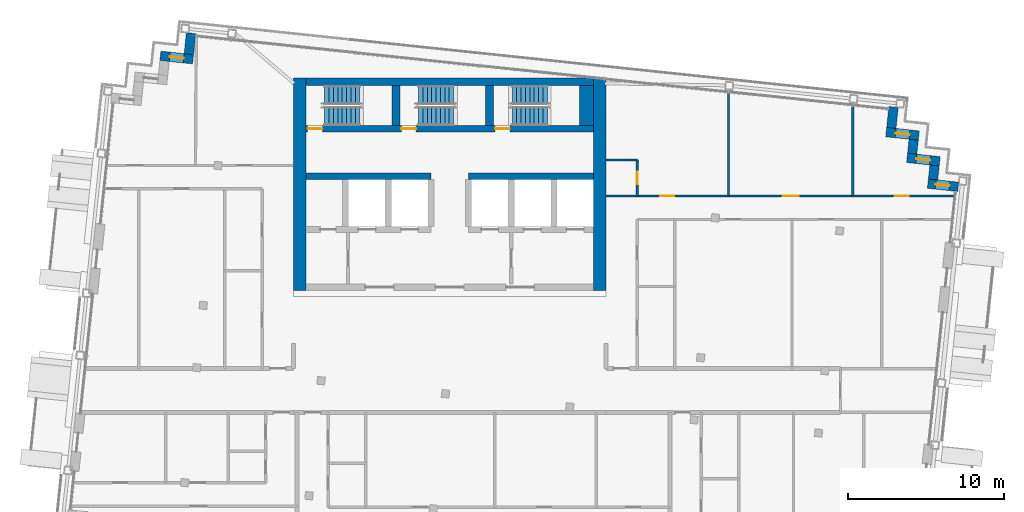
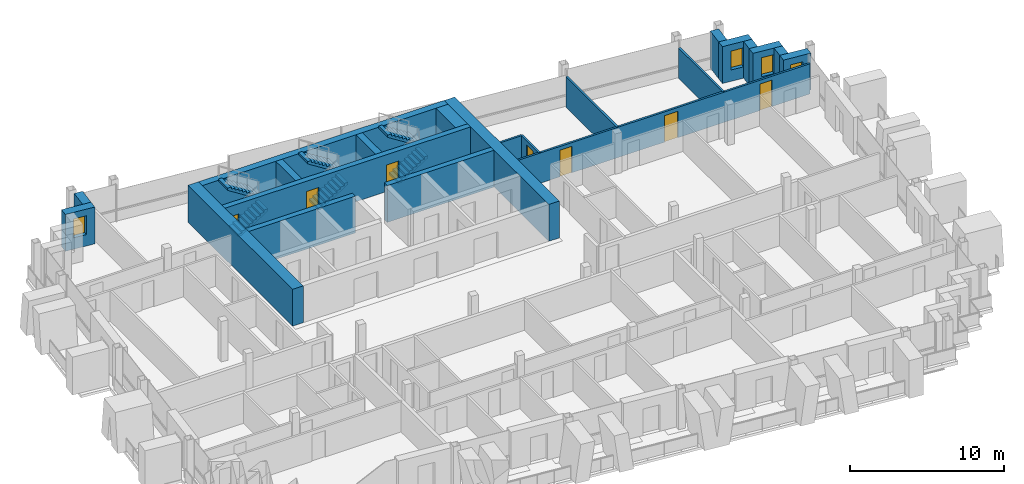
# One storey, part 12 of 16: 22 walls, 7 doors, 6 stair flights, 4 windows, 11 openings, 3 elements without a shape of their own.
"""IFC4 building model written with IfcOpenShell, lengths in metres."""

from ifc_helpers import new_model, si_unit, direction, frame, frame_2d, origin, place, context, subcontext, project, spatial, polyline, rectangle, outline, extrude, material, layer, layer_set, type_object, element, fill, aggregate, save


model = new_model("IFC4")

# Units and contexts
model_context = context("Model", 3, precision=1e-05, world=origin(), true_north=direction((0.0, 1.0)))
body_context = subcontext(model_context, "Body", "Model", "MODEL_VIEW")
ifc_project = project(units=[si_unit("LENGTHUNIT", "METRE"), si_unit("AREAUNIT", "SQUARE_METRE"), si_unit("VOLUMEUNIT", "CUBIC_METRE"), si_unit("PLANEANGLEUNIT", "RADIAN"), si_unit("MASSUNIT", "GRAM", prefix="KILO")], contexts=[model_context])

# Site, building, storey
site_placement = place(None, origin())
site = spatial("IfcSite", under=ifc_project, at=site_placement, CompositionType="ELEMENT")
building_placement = place(site_placement, origin())
building = spatial("IfcBuilding", under=site, at=building_placement, Name="Vidyagriha Tower", CompositionType="ELEMENT")
storey_placement = place(building_placement, frame((0.0, 0.0, 256.300048828125)))
storey = spatial("IfcBuildingStorey", under=building, at=storey_placement, Name="L66", CompositionType="ELEMENT", Elevation=256.300048828125)

# Wall, opening, window
ifc_material_1 = material(Name="Precast concrete C40/50 with brick facing", Category="concrete")
ifc_layer_1 = layer(ifc_material_1, 0.60009765625)
ifc_layer_set_1 = layer_set([ifc_layer_1], Name="Precast concrete C40/50 with brick facing")
wall_type_1 = type_object("IfcWallType", Name="Brick-faced precast wall 600", PredefinedType="STANDARD", material=ifc_layer_set_1)
wall_1_placement = place(storey_placement, frame((32.536376953125, 13.03125, 0.0), z_axis=(0.0, 0.0, 1.0), x_axis=(-0.994534226826, 0.104411070641, 0.0)))
wall_1 = element("IfcWall", 1, at=wall_1_placement, inside=storey, type_object=wall_type_1, Name="Stepped corner wall L66 R01", PredefinedType="STANDARD", context=body_context, shape_type="SweptSolid", body=[
    extrude(rectangle(XDim=1.9501953125, YDim=0.60009765625, at=frame_2d((0.97509765625, 0.0))), origin(), (0.0, 0.0, 1.0), 2.919921875),
])
opening_1_placement = place(wall_1_placement, frame((0.559814453125, 0.0, 0.89990234375)))
opening_1 = element("IfcOpeningElement", 2, at=opening_1_placement, cuts=wall_1, Name="Opening WN1", PredefinedType="OPENING", context=body_context, shape_type="SweptSolid", body=[
    extrude(rectangle(XDim=0.89990234375, YDim=1.5, at=frame_2d((0.449951171875, 0.75))), frame((0.0, 0.31005859375, 0.0), z_axis=(0.0, -1.0, 0.0), x_axis=(1.0, 0.0, 0.0)), (0.0, 0.0, 1.0), 0.6201171875),
])
ifc_material_2 = material(Name="Aluminium and glass window", Category="aluminium")
window_type = type_object("IfcWindowType", Name="Reveal window 900x1500", PartitioningType="NOTDEFINED", PredefinedType="WINDOW", material=ifc_material_2)
window_1_placement = place(opening_1_placement, origin())
window_1 = element("IfcWindow", 3, at=window_1_placement, inside=storey, type_object=window_type, Name="Reveal window L66 R01", OverallHeight=1.5, OverallWidth=0.89990234375, PartitioningType="SINGLE_PANEL", PredefinedType="WINDOW", context=body_context, shape_type="SweptSolid", body=[
    extrude(rectangle(XDim=0.89990234375, YDim=1.5, at=frame_2d((0.449951171875, 0.75))), frame((0.0, 0.030029296875, 0.0), z_axis=(0.0, -1.0, 0.0), x_axis=(1.0, 0.0, 0.0)), (0.0, 0.0, 1.0), 0.06005859375),
])
fill(opening_1, window_1)

# Wall
wall_2_placement = place(storey_placement, frame((30.9267578125, 13.501953125, 0.0), z_axis=(0.0, 0.0, 1.0), x_axis=(0.104416541099, 0.994533652495, 0.0)))
element("IfcWall", 4, at=wall_2_placement, inside=storey, type_object=wall_type_1, Name="Stepped corner wall L66 R02", PredefinedType="STANDARD", context=body_context, shape_type="SweptSolid", body=[
    extrude(rectangle(XDim=0.900146484375, YDim=0.60009765625, at=frame_2d((0.4501953125, 0.0))), origin(), (0.0, 0.0, 1.0), 2.919921875),
])

# Wall, opening, window
wall_3_placement = place(storey_placement, frame((31.3505859375, 14.6640625, 0.0), z_axis=(0.0, 0.0, 1.0), x_axis=(-0.994523910136, 0.104509292252, 0.0)))
wall_3 = element("IfcWall", 5, at=wall_3_placement, inside=storey, type_object=wall_type_1, Name="Stepped corner wall L66 R03", PredefinedType="STANDARD", context=body_context, shape_type="SweptSolid", body=[
    extrude(rectangle(XDim=2.10009765625, YDim=0.60009765625, at=frame_2d((1.050048828125, 0.0))), origin(), (0.0, 0.0, 1.0), 2.919921875),
])
opening_2_placement = place(wall_3_placement, frame((0.60009765625, 0.0, 0.89990234375)))
opening_2 = element("IfcOpeningElement", 6, at=opening_2_placement, cuts=wall_3, Name="Opening WN1", PredefinedType="OPENING", context=body_context, shape_type="SweptSolid", body=[
    extrude(rectangle(XDim=0.89990234375, YDim=1.5, at=frame_2d((0.449951171875, 0.75))), frame((0.0, 0.31005859375, 0.0), z_axis=(0.0, -1.0, 0.0), x_axis=(1.0, 0.0, 0.0)), (0.0, 0.0, 1.0), 0.6201171875),
])
window_2_placement = place(opening_2_placement, origin())
window_2 = element("IfcWindow", 7, at=window_2_placement, inside=storey, type_object=window_type, Name="Reveal window L66 R03", OverallHeight=1.5, OverallWidth=0.89990234375, PartitioningType="SINGLE_PANEL", PredefinedType="WINDOW", context=body_context, shape_type="SweptSolid", body=[
    extrude(rectangle(XDim=0.89990234375, YDim=1.5, at=frame_2d((0.449951171875, 0.75))), frame((0.0, 0.030029296875, 0.0), z_axis=(0.0, -1.0, 0.0), x_axis=(1.0, 0.0, 0.0)), (0.0, 0.0, 1.0), 0.06005859375),
])
fill(opening_2, window_2)

# Wall
wall_4_placement = place(storey_placement, frame((29.591796875, 15.150634765625, 0.0), z_axis=(0.0, 0.0, 1.0), x_axis=(0.104444712852, 0.994530694326, 0.0)))
element("IfcWall", 8, at=wall_4_placement, inside=storey, type_object=wall_type_1, Name="Stepped corner wall L66 R04", PredefinedType="STANDARD", context=body_context, shape_type="SweptSolid", body=[
    extrude(rectangle(XDim=0.89990234375, YDim=0.60009765625, at=frame_2d((0.449951171875, 0.0))), origin(), (0.0, 0.0, 1.0), 2.919921875),
])

# Wall, opening, window
wall_5_placement = place(storey_placement, frame((30.015380859375, 16.3125, 0.0), z_axis=(0.0, 0.0, 1.0), x_axis=(-0.994510548187, 0.104636368175, 0.0)))
wall_5 = element("IfcWall", 9, at=wall_5_placement, inside=storey, type_object=wall_type_1, Name="Stepped corner wall L66 R05", PredefinedType="STANDARD", context=body_context, shape_type="SweptSolid", body=[
    extrude(rectangle(XDim=2.099853515625, YDim=0.60009765625, at=frame_2d((1.0498046875, 0.0))), origin(), (0.0, 0.0, 1.0), 2.919921875),
])
opening_3_placement = place(wall_5_placement, frame((0.60009765625, 0.0, 0.89990234375)))
opening_3 = element("IfcOpeningElement", 10, at=opening_3_placement, cuts=wall_5, Name="Opening WN1", PredefinedType="OPENING", context=body_context, shape_type="SweptSolid", body=[
    extrude(rectangle(XDim=0.89990234375, YDim=1.5, at=frame_2d((0.449951171875, 0.75))), frame((0.0, 0.31005859375, 0.0), z_axis=(0.0, -1.0, 0.0), x_axis=(1.0, 0.0, 0.0)), (0.0, 0.0, 1.0), 0.6201171875),
])
window_3_placement = place(opening_3_placement, origin())
window_3 = element("IfcWindow", 11, at=window_3_placement, inside=storey, type_object=window_type, Name="Reveal window L66 R05", OverallHeight=1.5, OverallWidth=0.89990234375, PartitioningType="SINGLE_PANEL", PredefinedType="WINDOW", context=body_context, shape_type="SweptSolid", body=[
    extrude(rectangle(XDim=0.89990234375, YDim=1.5, at=frame_2d((0.449951171875, 0.75))), frame((0.0, 0.030029296875, 0.0), z_axis=(0.0, -1.0, 0.0), x_axis=(1.0, 0.0, 0.0)), (0.0, 0.0, 1.0), 0.06005859375),
])
fill(opening_3, window_3)

# Walls
wall_6_placement = place(storey_placement, frame((28.256591796875, 16.79931640625, 0.0), z_axis=(0.0, 0.0, 1.0), x_axis=(0.104534153452, 0.994521297289, 0.0)))
element("IfcWall", 12, at=wall_6_placement, inside=storey, type_object=wall_type_1, Name="Stepped corner wall L66 R06", PredefinedType="STANDARD", context=body_context, shape_type="SweptSolid", body=[
    extrude(rectangle(XDim=1.349853515625, YDim=0.60009765625, at=frame_2d((0.6748046875, 0.0))), origin(), (0.0, 0.0, 1.0), 2.919921875),
])
wall_7_placement = place(storey_placement, frame((-16.5546875, 22.866455078125, 0.0), z_axis=(0.0, 0.0, 1.0), x_axis=(-0.104515354875, -0.994523273029, 0.0)))
element("IfcWall", 13, at=wall_7_placement, inside=storey, type_object=wall_type_1, Name="Stepped corner wall L66 R08", PredefinedType="STANDARD", context=body_context, shape_type="SweptSolid", body=[
    extrude(rectangle(XDim=1.35009765625, YDim=0.60009765625, at=frame_2d((0.675048828125, 0.0))), origin(), (0.0, 0.0, 1.0), 2.919921875),
])

# Wall, opening, window
wall_8_placement = place(storey_placement, frame((-16.4287109375, 21.194091796875, 0.0), z_axis=(0.0, 0.0, 1.0), x_axis=(-0.994522640205, 0.104521376379, 0.0)))
wall_8 = element("IfcWall", 14, at=wall_8_placement, inside=storey, type_object=wall_type_1, Name="Stepped corner wall L66 R09", PredefinedType="STANDARD", context=body_context, shape_type="SweptSolid", body=[
    extrude(rectangle(XDim=2.099853515625, YDim=0.60009765625, at=frame_2d((1.0498046875, 0.0))), origin(), (0.0, 0.0, 1.0), 2.919921875),
])
opening_4_placement = place(wall_8_placement, frame((0.599853515625, 0.0, 0.89990234375)))
opening_4 = element("IfcOpeningElement", 15, at=opening_4_placement, cuts=wall_8, Name="Opening WN1", PredefinedType="OPENING", context=body_context, shape_type="SweptSolid", body=[
    extrude(rectangle(XDim=0.89990234375, YDim=1.5, at=frame_2d((0.449951171875, 0.75))), frame((0.0, 0.31005859375, 0.0), z_axis=(0.0, -1.0, 0.0), x_axis=(1.0, 0.0, 0.0)), (0.0, 0.0, 1.0), 0.6201171875),
])
window_4_placement = place(opening_4_placement, origin())
window_4 = element("IfcWindow", 16, at=window_4_placement, inside=storey, type_object=window_type, Name="Reveal window L66 R09", OverallHeight=1.5, OverallWidth=0.89990234375, PartitioningType="SINGLE_PANEL", PredefinedType="WINDOW", context=body_context, shape_type="SweptSolid", body=[
    extrude(rectangle(XDim=0.89990234375, YDim=1.5, at=frame_2d((0.449951171875, 0.75))), frame((0.0, 0.030029296875, 0.0), z_axis=(0.0, -1.0, 0.0), x_axis=(1.0, 0.0, 0.0)), (0.0, 0.0, 1.0), 0.06005859375),
])
fill(opening_4, window_4)

# Walls
ifc_material_3 = material(Name="Concrete C60/75", Category="concrete")
ifc_layer_2 = layer(ifc_material_3, 0.39990234375)
ifc_layer_set_2 = layer_set([ifc_layer_2], Name="Concrete C60/75")
wall_type_2 = type_object("IfcWallType", Name="Core shear wall 400 mm", PredefinedType="SHEAR", material=ifc_layer_set_2)
for number, where, name in (
    (17, (-9.199951171875, 13.699951171875, 0.0), "Core row N rear wall"),
    (18, (1.199951171875, 13.699951171875, 0.0), "Core row N rear wall"),
):
    element("IfcWall", number, at=place(storey_placement, frame(where)), inside=storey, type_object=wall_type_2, Name=name, PredefinedType="SHEAR", context=body_context, shape_type="SweptSolid", body=[
        extrude(rectangle(XDim=8.0, YDim=0.39990234375, at=frame_2d((4.0, 0.0))), origin(), (0.0, 0.0, 1.0), 2.919921875),
    ])

# Wall, openings, doors
wall_9_placement = place(storey_placement, frame((-9.199951171875, 16.75, 0.0)))
wall_9 = element("IfcWall", 19, at=wall_9_placement, inside=storey, type_object=wall_type_2, Name="Stair front wall", PredefinedType="SHEAR", context=body_context, shape_type="SweptSolid", body=[
    extrude(rectangle(XDim=18.39990234375, YDim=0.39990234375, at=frame_2d((9.199951171875, 0.0))), origin(), (0.0, 0.0, 1.0), 2.919921875),
])
opening_5_placement = place(wall_9_placement, frame((0.10009765625, 0.0, 0.0)))
opening_5 = element("IfcOpeningElement", 20, at=opening_5_placement, cuts=wall_9, Name="Opening D66-06", PredefinedType="OPENING", context=body_context, shape_type="SweptSolid", body=[
    extrude(rectangle(XDim=0.949951171875, YDim=2.10009765625, at=frame_2d((0.47509765625, 1.050048828125))), frame((0.0, 0.2099609375, 0.0), z_axis=(0.0, -1.0, 0.0), x_axis=(1.0, 0.0, 0.0)), (0.0, 0.0, 1.0), 0.419921875),
])
opening_6_placement = place(wall_9_placement, frame((6.10009765625, 0.0, 0.0)))
opening_6 = element("IfcOpeningElement", 21, at=opening_6_placement, cuts=wall_9, Name="Opening D66-07", PredefinedType="OPENING", context=body_context, shape_type="SweptSolid", body=[
    extrude(rectangle(XDim=0.949951171875, YDim=2.10009765625, at=frame_2d((0.47509765625, 1.050048828125))), frame((0.0, 0.2099609375, 0.0), z_axis=(0.0, -1.0, 0.0), x_axis=(1.0, 0.0, 0.0)), (0.0, 0.0, 1.0), 0.419921875),
])
opening_7_placement = place(wall_9_placement, frame((12.10009765625, 0.0, 0.0)))
opening_7 = element("IfcOpeningElement", 22, at=opening_7_placement, cuts=wall_9, Name="Opening D66-08", PredefinedType="OPENING", context=body_context, shape_type="SweptSolid", body=[
    extrude(rectangle(XDim=0.949951171875, YDim=2.10009765625, at=frame_2d((0.47509765625, 1.050048828125))), frame((0.0, 0.2099609375, 0.0), z_axis=(0.0, -1.0, 0.0), x_axis=(1.0, 0.0, 0.0)), (0.0, 0.0, 1.0), 0.419921875),
])
ifc_material_4 = material(Name="Hollow metal door leaf")
door_type_1 = type_object("IfcDoorType", Name="Exit stair door 950 x 2100 mm EI 90", OperationType="NOTDEFINED", PredefinedType="DOOR", material=ifc_material_4)
door_1_placement = place(opening_5_placement, origin())
door_1 = element("IfcDoor", 23, at=door_1_placement, inside=storey, type_object=door_type_1, Name="Stair door ST1 L66", OperationType="SINGLE_SWING_LEFT", OverallHeight=2.10009765625, OverallWidth=0.949951171875, PredefinedType="DOOR", context=body_context, shape_type="SweptSolid", body=[
    extrude(rectangle(XDim=0.949951171875, YDim=2.10009765625, at=frame_2d((0.47509765625, 1.050048828125))), frame((0.0, 0.02490234375, 0.0), z_axis=(0.0, -1.0, 0.0), x_axis=(1.0, 0.0, 0.0)), (0.0, 0.0, 1.0), 0.050048828125),
])
fill(opening_5, door_1)
door_2_placement = place(opening_6_placement, origin())
door_2 = element("IfcDoor", 24, at=door_2_placement, inside=storey, type_object=door_type_1, Name="Stair door ST2 L66", OperationType="SINGLE_SWING_LEFT", OverallHeight=2.10009765625, OverallWidth=0.949951171875, PredefinedType="DOOR", context=body_context, shape_type="SweptSolid", body=[
    extrude(rectangle(XDim=0.949951171875, YDim=2.10009765625, at=frame_2d((0.47509765625, 1.050048828125))), frame((0.0, 0.02490234375, 0.0), z_axis=(0.0, -1.0, 0.0), x_axis=(1.0, 0.0, 0.0)), (0.0, 0.0, 1.0), 0.050048828125),
])
fill(opening_6, door_2)
door_3_placement = place(opening_7_placement, origin())
door_3 = element("IfcDoor", 25, at=door_3_placement, inside=storey, type_object=door_type_1, Name="Stair door ST3 L66", OperationType="SINGLE_SWING_LEFT", OverallHeight=2.10009765625, OverallWidth=0.949951171875, PredefinedType="DOOR", context=body_context, shape_type="SweptSolid", body=[
    extrude(rectangle(XDim=0.949951171875, YDim=2.10009765625, at=frame_2d((0.47509765625, 1.050048828125))), frame((0.0, 0.02490234375, 0.0), z_axis=(0.0, -1.0, 0.0), x_axis=(1.0, 0.0, 0.0)), (0.0, 0.0, 1.0), 0.050048828125),
])
fill(opening_7, door_3)

# Walls
ifc_material_5 = material(Name="Concrete C60/75", Category="concrete")
ifc_layer_3 = layer(ifc_material_5, 0.5)
ifc_layer_set_3 = layer_set([ifc_layer_3], Name="Concrete C60/75")
wall_type_3 = type_object("IfcWallType", Name="Core shear wall 500 mm", PredefinedType="SHEAR", material=ifc_layer_set_3)
wall_10_placement = place(storey_placement, frame((-9.199951171875, 19.75, 0.0)))
element("IfcWall", 26, at=wall_10_placement, inside=storey, type_object=wall_type_3, Name="Core north wall", PredefinedType="SHEAR", context=body_context, shape_type="SweptSolid", body=[
    extrude(rectangle(XDim=18.39990234375, YDim=0.5, at=frame_2d((9.199951171875, 0.0))), origin(), (0.0, 0.0, 1.0), 2.919921875),
])
for number, where, z_axis, x_axis, name in (
    (27, (-3.449951171875, 16.949951171875, 0.0), (0.0, 0.0, 1.0), (0.0, 1.0, 0.0), "Stair partition wall 1"),
    (28, (2.550048828125, 16.949951171875, 0.0), (0.0, 0.0, 1.0), (0.0, 1.0, 0.0), "Stair partition wall 2"),
):
    element("IfcWall", number, at=place(storey_placement, frame(where, z_axis=z_axis, x_axis=x_axis)), inside=storey, type_object=wall_type_3, Name=name, PredefinedType="SHEAR", context=body_context, shape_type="SweptSolid", body=[
        extrude(rectangle(XDim=2.550048828125, YDim=0.5, at=frame_2d((1.27490234375, 0.0))), origin(), (0.0, 0.0, 1.0), 2.919921875),
    ])
ifc_material_6 = material(Name="Concrete C60/75", Category="concrete")
ifc_layer_4 = layer(ifc_material_6, 0.800048828125)
ifc_layer_set_4 = layer_set([ifc_layer_4], Name="Concrete C60/75")
wall_type_4 = type_object("IfcWallType", Name="Core shear wall 800 mm", PredefinedType="SHEAR", material=ifc_layer_set_4)
for number, where, z_axis, x_axis, name in (
    (29, (-9.60009765625, 6.39990234375, 0.0), (0.0, 0.0, 1.0), (0.0, 1.0, 0.0), "Core west wall"),
    (30, (9.60009765625, 6.39990234375, 0.0), (0.0, 0.0, 1.0), (0.0, 1.0, 0.0), "Core east wall"),
):
    element("IfcWall", number, at=place(storey_placement, frame(where, z_axis=z_axis, x_axis=x_axis)), inside=storey, type_object=wall_type_4, Name=name, PredefinedType="SHEAR", context=body_context, shape_type="SweptSolid", body=[
        extrude(rectangle(XDim=13.60009765625, YDim=0.800048828125, at=frame_2d((6.800048828125, 0.0))), origin(), (0.0, 0.0, 1.0), 2.919921875),
    ])
ifc_material_7 = material(Name="Concrete C60/75", Category="concrete")
ifc_layer_5 = layer(ifc_material_7, 0.89990234375)
ifc_layer_set_5 = layer_set([ifc_layer_5], Name="Concrete C60/75")
wall_type_5 = type_object("IfcWallType", Name="Core shear wall 900 mm", PredefinedType="SHEAR", material=ifc_layer_set_5)
wall_11_placement = place(storey_placement, frame((8.75, 16.949951171875, 0.0), z_axis=(0.0, 0.0, 1.0), x_axis=(0.0, 1.0, 0.0)))
element("IfcWall", 31, at=wall_11_placement, inside=storey, type_object=wall_type_5, Name="Stair end wall", PredefinedType="SHEAR", context=body_context, shape_type="SweptSolid", body=[
    extrude(rectangle(XDim=2.550048828125, YDim=0.89990234375, at=frame_2d((1.27490234375, 0.0))), origin(), (0.0, 0.0, 1.0), 2.919921875),
])

# Wall, openings, doors
ifc_material_8 = material(Name="Gypsum board partition")
ifc_layer_6 = layer(ifc_material_8, 0.14990234375)
ifc_layer_set_6 = layer_set([ifc_layer_6], Name="Gypsum board partition")
wall_type_6 = type_object("IfcWallType", Name="Gypsum board partition 150", PredefinedType="PARTITIONING", material=ifc_layer_set_6)
wall_12_placement = place(storey_placement, frame((10.0, 12.443359375, 0.0)))
wall_12 = element("IfcWall", 32, at=wall_12_placement, inside=storey, type_object=wall_type_6, Name="Wall all-L66-w082", PredefinedType="PARTITIONING", context=body_context, shape_type="SweptSolid", body=[
    extrude(rectangle(XDim=22.244140625, YDim=0.14990234375, at=frame_2d((11.1220703125, 0.0))), origin(), (0.0, 0.0, 1.0), 2.39990234375),
])
opening_8_placement = place(wall_12_placement, frame((3.47021484375, 0.0, 0.0)))
opening_8 = element("IfcOpeningElement", 33, at=opening_8_placement, cuts=wall_12, Name="Opening D66-47", PredefinedType="OPENING", context=body_context, shape_type="SweptSolid", body=[
    extrude(rectangle(XDim=0.89990234375, YDim=2.10009765625, at=frame_2d((0.449951171875, 1.050048828125))), frame((0.0, 0.0849609375, 0.0), z_axis=(0.0, -1.0, 0.0), x_axis=(1.0, 0.0, 0.0)), (0.0, 0.0, 1.0), 0.169921875),
])
opening_9_placement = place(wall_12_placement, frame((11.318359375, 0.0, 0.0)))
opening_9 = element("IfcOpeningElement", 34, at=opening_9_placement, cuts=wall_12, Name="Opening D66-48", PredefinedType="OPENING", context=body_context, shape_type="SweptSolid", body=[
    extrude(rectangle(XDim=1.0, YDim=2.10009765625, at=frame_2d((0.5, 1.050048828125))), frame((0.0, 0.0849609375, 0.0), z_axis=(0.0, -1.0, 0.0), x_axis=(1.0, 0.0, 0.0)), (0.0, 0.0, 1.0), 0.169921875),
])
opening_10_placement = place(wall_12_placement, frame((18.476806640625, 0.0, 0.0)))
opening_10 = element("IfcOpeningElement", 35, at=opening_10_placement, cuts=wall_12, Name="Opening D66-49", PredefinedType="OPENING", context=body_context, shape_type="SweptSolid", body=[
    extrude(rectangle(XDim=0.89990234375, YDim=2.10009765625, at=frame_2d((0.449951171875, 1.050048828125))), frame((0.0, 0.0849609375, 0.0), z_axis=(0.0, -1.0, 0.0), x_axis=(1.0, 0.0, 0.0)), (0.0, 0.0, 1.0), 0.169921875),
])
ifc_material_9 = material(Name="Timber door leaf", Category="wood")
door_type_2 = type_object("IfcDoorType", Name="Room door 1000x2100", OperationType="NOTDEFINED", PredefinedType="DOOR", material=ifc_material_9)
door_4_placement = place(opening_9_placement, origin())
door_4 = element("IfcDoor", 36, at=door_4_placement, inside=storey, type_object=door_type_2, Name="Door D66-48", OperationType="SINGLE_SWING_RIGHT", OverallHeight=2.10009765625, OverallWidth=1.0, PredefinedType="DOOR", context=body_context, shape_type="SweptSolid", body=[
    extrude(rectangle(XDim=1.0, YDim=2.10009765625, at=frame_2d((0.5, 1.050048828125))), frame((0.0, 0.02490234375, 0.0), z_axis=(0.0, -1.0, 0.0), x_axis=(1.0, 0.0, 0.0)), (0.0, 0.0, 1.0), 0.050048828125),
])
fill(opening_9, door_4)
ifc_material_10 = material(Name="Timber door leaf", Category="wood")
door_type_3 = type_object("IfcDoorType", Name="Room door 900x2100", OperationType="NOTDEFINED", PredefinedType="DOOR", material=ifc_material_10)
door_5_placement = place(opening_8_placement, origin())
door_5 = element("IfcDoor", 37, at=door_5_placement, inside=storey, type_object=door_type_3, Name="Door D66-47", OperationType="SINGLE_SWING_RIGHT", OverallHeight=2.10009765625, OverallWidth=0.89990234375, PredefinedType="DOOR", context=body_context, shape_type="SweptSolid", body=[
    extrude(rectangle(XDim=0.89990234375, YDim=2.10009765625, at=frame_2d((0.449951171875, 1.050048828125))), frame((0.0, 0.02490234375, 0.0), z_axis=(0.0, -1.0, 0.0), x_axis=(1.0, 0.0, 0.0)), (0.0, 0.0, 1.0), 0.050048828125),
])
fill(opening_8, door_5)
door_6_placement = place(opening_10_placement, origin())
door_6 = element("IfcDoor", 38, at=door_6_placement, inside=storey, type_object=door_type_3, Name="Door D66-49", OperationType="SINGLE_SWING_RIGHT", OverallHeight=2.10009765625, OverallWidth=0.89990234375, PredefinedType="DOOR", context=body_context, shape_type="SweptSolid", body=[
    extrude(rectangle(XDim=0.89990234375, YDim=2.10009765625, at=frame_2d((0.449951171875, 1.050048828125))), frame((0.0, 0.02490234375, 0.0), z_axis=(0.0, -1.0, 0.0), x_axis=(1.0, 0.0, 0.0)), (0.0, 0.0, 1.0), 0.050048828125),
])
fill(opening_10, door_6)

# Walls
wall_13_placement = place(storey_placement, frame((17.840087890625, 19.02099609375, 0.0), z_axis=(0.0, 0.0, 1.0), x_axis=(0.0, -1.0, 0.0)))
element("IfcWall", 39, at=wall_13_placement, inside=storey, type_object=wall_type_6, Name="Wall all-L66-w086", PredefinedType="PARTITIONING", context=body_context, shape_type="SweptSolid", body=[
    extrude(rectangle(XDim=6.57763671875, YDim=0.14990234375, at=frame_2d((3.288818359375, 0.0))), origin(), (0.0, 0.0, 1.0), 2.39990234375),
])
wall_14_placement = place(storey_placement, frame((25.79638671875, 18.184814453125, 0.0), z_axis=(0.0, 0.0, 1.0), x_axis=(0.0, -1.0, 0.0)))
element("IfcWall", 40, at=wall_14_placement, inside=storey, type_object=wall_type_6, Name="Wall all-L66-w087", PredefinedType="PARTITIONING", context=body_context, shape_type="SweptSolid", body=[
    extrude(rectangle(XDim=5.741455078125, YDim=0.14990234375, at=frame_2d((2.87060546875, 0.0))), origin(), (0.0, 0.0, 1.0), 2.39990234375),
])

# Wall, opening, door
wall_15_placement = place(storey_placement, frame((12.0, 14.743408203125, 0.0), z_axis=(0.0, 0.0, 1.0), x_axis=(0.0, -1.0, 0.0)))
wall_15 = element("IfcWall", 41, at=wall_15_placement, inside=storey, type_object=wall_type_6, Name="Wall all-L66-w088", PredefinedType="PARTITIONING", context=body_context, shape_type="SweptSolid", body=[
    extrude(rectangle(XDim=2.300048828125, YDim=0.14990234375, at=frame_2d((1.14990234375, 0.0))), origin(), (0.0, 0.0, 1.0), 2.39990234375),
])
opening_11_placement = place(wall_15_placement, frame((0.75, 0.0, 0.0)))
opening_11 = element("IfcOpeningElement", 42, at=opening_11_placement, cuts=wall_15, Name="Opening D66-50", PredefinedType="OPENING", context=body_context, shape_type="SweptSolid", body=[
    extrude(rectangle(XDim=0.800048828125, YDim=2.10009765625, at=frame_2d((0.39990234375, 1.050048828125))), frame((0.0, 0.0849609375, 0.0), z_axis=(0.0, -1.0, 0.0), x_axis=(1.0, 0.0, 0.0)), (0.0, 0.0, 1.0), 0.169921875),
])
ifc_material_11 = material(Name="Timber door leaf", Category="wood")
door_type_4 = type_object("IfcDoorType", Name="Bathroom door 800x2100", OperationType="NOTDEFINED", PredefinedType="DOOR", material=ifc_material_11)
door_7_placement = place(opening_11_placement, origin())
door_7 = element("IfcDoor", 43, at=door_7_placement, inside=storey, type_object=door_type_4, Name="Door D66-50", OperationType="SINGLE_SWING_RIGHT", OverallHeight=2.10009765625, OverallWidth=0.800048828125, PredefinedType="DOOR", context=body_context, shape_type="SweptSolid", body=[
    extrude(rectangle(XDim=0.800048828125, YDim=2.10009765625, at=frame_2d((0.39990234375, 1.050048828125))), frame((0.0, 0.02490234375, 0.0), z_axis=(0.0, -1.0, 0.0), x_axis=(1.0, 0.0, 0.0)), (0.0, 0.0, 1.0), 0.050048828125),
])
fill(opening_11, door_7)

# Wall
wall_16_placement = place(storey_placement, frame((10.0, 14.743408203125, 0.0)))
element("IfcWall", 44, at=wall_16_placement, inside=storey, type_object=wall_type_6, Name="Wall all-L66-w089", PredefinedType="PARTITIONING", context=body_context, shape_type="SweptSolid", body=[
    extrude(rectangle(XDim=2.0, YDim=0.14990234375, at=frame_2d((1.0, 0.0))), origin(), (0.0, 0.0, 1.0), 2.39990234375),
])

# Stair, stair flights
ifc_material_12 = material(Name="Concrete C40/50", Category="concrete")
stair_type = type_object("IfcStairType", Name="Exit stair, half-turn, precast flights", PredefinedType="HALF_TURN_STAIR", material=ifc_material_12)
stair_1_placement = place(storey_placement, origin())
stair_1 = element("IfcStair", 45, at=stair_1_placement, inside=storey, type_object=stair_type, Name="L66 Exit Stair ST1", PredefinedType="HALF_TURN_STAIR")
ifc_material_13 = material(Name="Precast concrete C40/50", Category="concrete")
stair_flight_type = type_object("IfcStairFlightType", Name="Exit stair flight 1200 mm, precast", PredefinedType="STRAIGHT", material=ifc_material_13)
stair_flight_1_placement = place(storey_placement, frame((-8.0, 17.550048828125, 0.0)))
stair_flight_1 = element("IfcStairFlight", 46, at=stair_flight_1_placement, type_object=stair_flight_type, Name="ST1 flight 1", NumberOfRisers=9, NumberOfTreads=8, PredefinedType="STRAIGHT", RiserHeight=0.177777778, TreadLength=0.28, context=body_context, shape_type="SweptSolid", body=[
    extrude(outline(polyline([(0.0, 0.0), (0.0, 0.177734375), (0.280029296875, 0.177734375), (0.280029296875, 0.35546875), (0.56005859375, 0.35546875), (0.56005859375, 0.533447265625), (0.840087890625, 0.533447265625), (0.840087890625, 0.711181640625), (1.1201171875, 0.711181640625), (1.1201171875, 0.888916015625), (1.39990234375, 0.888916015625), (1.39990234375, 1.066650390625), (1.679931640625, 1.066650390625), (1.679931640625, 1.244384765625), (1.9599609375, 1.244384765625), (1.9599609375, 1.422119140625), (2.239990234375, 1.422119140625), (2.239990234375, 1.60009765625), (2.239990234375, 1.24462890625), (0.27978515625, 0.0), (0.0, 0.0)])), frame((0.0, 0.60009765625, 0.0), z_axis=(0.0, -1.0, 0.0), x_axis=(1.0, 0.0, 0.0)), (0.0, 0.0, 1.0), 1.199951171875),
])
stair_flight_2_placement = place(storey_placement, frame((-5.760009765625, 18.89990234375, 1.599853515625), z_axis=(0.0, 0.0, 1.0), x_axis=(-1.0, 0.0, 0.0)))
stair_flight_2 = element("IfcStairFlight", 47, at=stair_flight_2_placement, type_object=stair_flight_type, Name="ST1 flight 2", NumberOfRisers=9, NumberOfTreads=8, PredefinedType="STRAIGHT", RiserHeight=0.177777778, TreadLength=0.28, context=body_context, shape_type="SweptSolid", body=[
    extrude(outline(polyline([(0.0, 0.0), (0.0, 0.177734375), (0.280029296875, 0.177734375), (0.280029296875, 0.35546875), (0.56005859375, 0.35546875), (0.56005859375, 0.533447265625), (0.840087890625, 0.533447265625), (0.840087890625, 0.711181640625), (1.1201171875, 0.711181640625), (1.1201171875, 0.888916015625), (1.39990234375, 0.888916015625), (1.39990234375, 1.066650390625), (1.679931640625, 1.066650390625), (1.679931640625, 1.244384765625), (1.9599609375, 1.244384765625), (1.9599609375, 1.422119140625), (2.239990234375, 1.422119140625), (2.239990234375, 1.60009765625), (2.239990234375, 1.24462890625), (0.27978515625, 0.0), (0.0, 0.0)])), frame((0.0, 0.60009765625, 0.0), z_axis=(0.0, -1.0, 0.0), x_axis=(1.0, 0.0, 0.0)), (0.0, 0.0, 1.0), 1.199951171875),
])
aggregate(stair_1, [stair_flight_1, stair_flight_2])

stair_2_placement = place(storey_placement, origin())
stair_2 = element("IfcStair", 48, at=stair_2_placement, inside=storey, type_object=stair_type, Name="L66 Exit Stair ST2", PredefinedType="HALF_TURN_STAIR")
stair_flight_3_placement = place(storey_placement, frame((-2.0, 17.550048828125, 0.0)))
stair_flight_3 = element("IfcStairFlight", 49, at=stair_flight_3_placement, type_object=stair_flight_type, Name="ST2 flight 1", NumberOfRisers=9, NumberOfTreads=8, PredefinedType="STRAIGHT", RiserHeight=0.177777778, TreadLength=0.28, context=body_context, shape_type="SweptSolid", body=[
    extrude(outline(polyline([(0.0, 0.0), (0.0, 0.177734375), (0.280029296875, 0.177734375), (0.280029296875, 0.35546875), (0.56005859375, 0.35546875), (0.56005859375, 0.533447265625), (0.840087890625, 0.533447265625), (0.840087890625, 0.711181640625), (1.1201171875, 0.711181640625), (1.1201171875, 0.888916015625), (1.39990234375, 0.888916015625), (1.39990234375, 1.066650390625), (1.679931640625, 1.066650390625), (1.679931640625, 1.244384765625), (1.9599609375, 1.244384765625), (1.9599609375, 1.422119140625), (2.239990234375, 1.422119140625), (2.239990234375, 1.60009765625), (2.239990234375, 1.24462890625), (0.27978515625, 0.0), (0.0, 0.0)])), frame((0.0, 0.60009765625, 0.0), z_axis=(0.0, -1.0, 0.0), x_axis=(1.0, 0.0, 0.0)), (0.0, 0.0, 1.0), 1.199951171875),
])
stair_flight_4_placement = place(storey_placement, frame((0.239990234375, 18.89990234375, 1.599853515625), z_axis=(0.0, 0.0, 1.0), x_axis=(-1.0, 0.0, 0.0)))
stair_flight_4 = element("IfcStairFlight", 50, at=stair_flight_4_placement, type_object=stair_flight_type, Name="ST2 flight 2", NumberOfRisers=9, NumberOfTreads=8, PredefinedType="STRAIGHT", RiserHeight=0.177777778, TreadLength=0.28, context=body_context, shape_type="SweptSolid", body=[
    extrude(outline(polyline([(0.0, 0.0), (0.0, 0.177734375), (0.280029296875, 0.177734375), (0.280029296875, 0.35546875), (0.56005859375, 0.35546875), (0.56005859375, 0.533447265625), (0.840087890625, 0.533447265625), (0.840087890625, 0.711181640625), (1.1201171875, 0.711181640625), (1.1201171875, 0.888916015625), (1.39990234375, 0.888916015625), (1.39990234375, 1.066650390625), (1.679931640625, 1.066650390625), (1.679931640625, 1.244384765625), (1.9599609375, 1.244384765625), (1.9599609375, 1.422119140625), (2.239990234375, 1.422119140625), (2.239990234375, 1.60009765625), (2.239990234375, 1.24462890625), (0.27978515625, 0.0), (0.0, 0.0)])), frame((0.0, 0.60009765625, 0.0), z_axis=(0.0, -1.0, 0.0), x_axis=(1.0, 0.0, 0.0)), (0.0, 0.0, 1.0), 1.199951171875),
])
aggregate(stair_2, [stair_flight_3, stair_flight_4])

stair_3_placement = place(storey_placement, origin())
stair_3 = element("IfcStair", 51, at=stair_3_placement, inside=storey, type_object=stair_type, Name="L66 Exit Stair ST3", PredefinedType="HALF_TURN_STAIR")
stair_flight_5_placement = place(storey_placement, frame((4.0, 17.550048828125, 0.0)))
stair_flight_5 = element("IfcStairFlight", 52, at=stair_flight_5_placement, type_object=stair_flight_type, Name="ST3 flight 1", NumberOfRisers=9, NumberOfTreads=8, PredefinedType="STRAIGHT", RiserHeight=0.177777778, TreadLength=0.28, context=body_context, shape_type="SweptSolid", body=[
    extrude(outline(polyline([(0.0, 0.0), (0.0, 0.177734375), (0.280029296875, 0.177734375), (0.280029296875, 0.35546875), (0.56005859375, 0.35546875), (0.56005859375, 0.533447265625), (0.840087890625, 0.533447265625), (0.840087890625, 0.711181640625), (1.1201171875, 0.711181640625), (1.1201171875, 0.888916015625), (1.39990234375, 0.888916015625), (1.39990234375, 1.066650390625), (1.679931640625, 1.066650390625), (1.679931640625, 1.244384765625), (1.9599609375, 1.244384765625), (1.9599609375, 1.422119140625), (2.239990234375, 1.422119140625), (2.239990234375, 1.60009765625), (2.239990234375, 1.24462890625), (0.27978515625, 0.0), (0.0, 0.0)])), frame((0.0, 0.60009765625, 0.0), z_axis=(0.0, -1.0, 0.0), x_axis=(1.0, 0.0, 0.0)), (0.0, 0.0, 1.0), 1.199951171875),
])
stair_flight_6_placement = place(storey_placement, frame((6.239990234375, 18.89990234375, 1.599853515625), z_axis=(0.0, 0.0, 1.0), x_axis=(-1.0, 0.0, 0.0)))
stair_flight_6 = element("IfcStairFlight", 53, at=stair_flight_6_placement, type_object=stair_flight_type, Name="ST3 flight 2", NumberOfRisers=9, NumberOfTreads=8, PredefinedType="STRAIGHT", RiserHeight=0.177777778, TreadLength=0.28, context=body_context, shape_type="SweptSolid", body=[
    extrude(outline(polyline([(0.0, 0.0), (0.0, 0.177734375), (0.280029296875, 0.177734375), (0.280029296875, 0.35546875), (0.56005859375, 0.35546875), (0.56005859375, 0.533447265625), (0.840087890625, 0.533447265625), (0.840087890625, 0.711181640625), (1.1201171875, 0.711181640625), (1.1201171875, 0.888916015625), (1.39990234375, 0.888916015625), (1.39990234375, 1.066650390625), (1.679931640625, 1.066650390625), (1.679931640625, 1.244384765625), (1.9599609375, 1.244384765625), (1.9599609375, 1.422119140625), (2.239990234375, 1.422119140625), (2.239990234375, 1.60009765625), (2.239990234375, 1.24462890625), (0.27978515625, 0.0), (0.0, 0.0)])), frame((0.0, 0.60009765625, 0.0), z_axis=(0.0, -1.0, 0.0), x_axis=(1.0, 0.0, 0.0)), (0.0, 0.0, 1.0), 1.199951171875),
])
aggregate(stair_3, [stair_flight_5, stair_flight_6])

save(model, "model.ifc")
